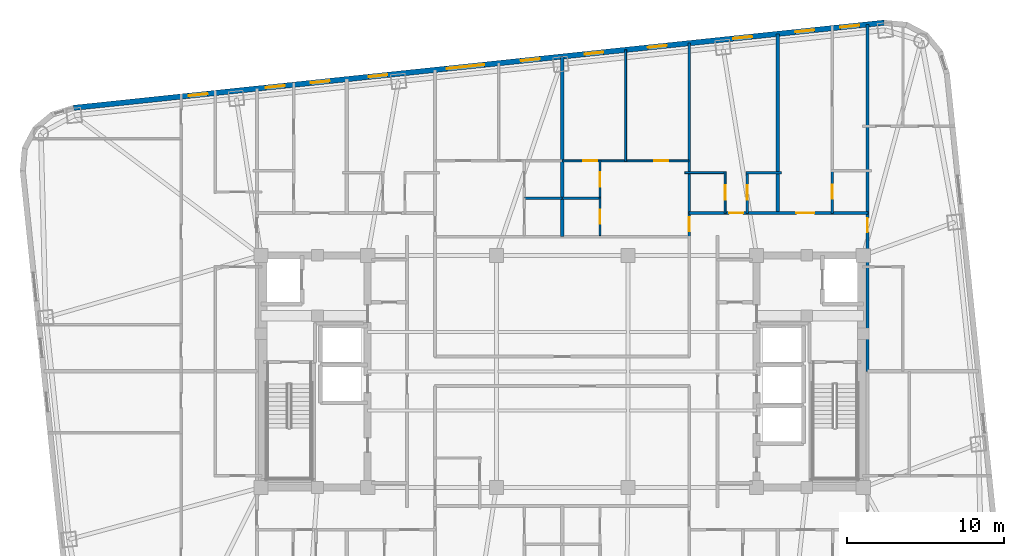
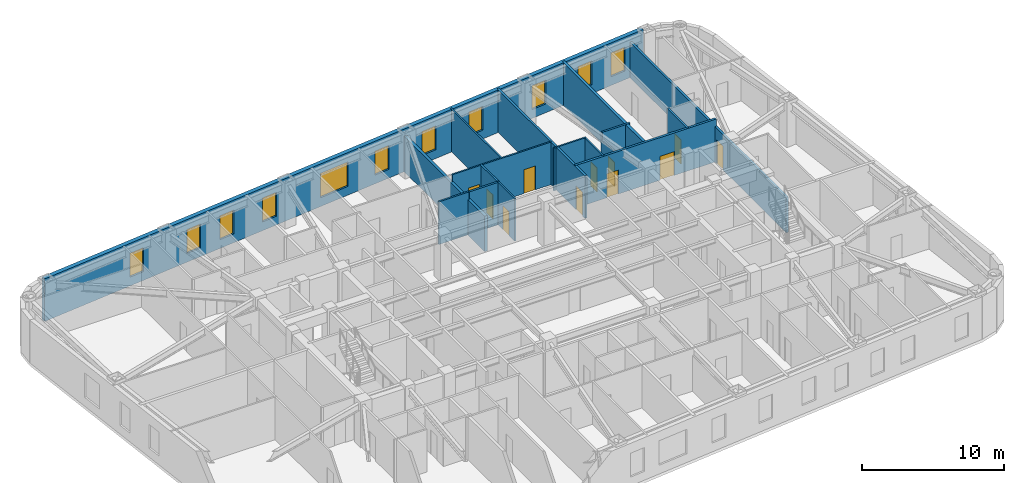
# One storey, part 9 of 12: 17 walls, 11 doors, 11 windows, 22 openings.
"""IFC4 building model written with IfcOpenShell, lengths in metres."""

from ifc_helpers import new_model, si_unit, direction, frame, frame_2d, origin, place, context, subcontext, project, spatial, rectangle, extrude, material, layer, layer_set, type_object, element, fill, save


model = new_model("IFC4")

# Units and contexts
model_context = context("Model", 3, precision=1e-05, world=origin(), true_north=direction((0.0, 1.0)))
body_context = subcontext(model_context, "Body", "Model", "MODEL_VIEW")
ifc_project = project(units=[si_unit("LENGTHUNIT", "METRE"), si_unit("AREAUNIT", "SQUARE_METRE"), si_unit("VOLUMEUNIT", "CUBIC_METRE"), si_unit("PLANEANGLEUNIT", "RADIAN"), si_unit("MASSUNIT", "GRAM", prefix="KILO")], contexts=[model_context])

# Site, building, storey
site_placement = place(None, origin())
site = spatial("IfcSite", under=ifc_project, at=site_placement, CompositionType="ELEMENT")
building_placement = place(site_placement, origin())
building = spatial("IfcBuilding", under=site, at=building_placement, Name="Voryun Gate Residences", CompositionType="ELEMENT")
storey_placement = place(building_placement, frame((0.0, 0.0, 179.39990234375)))
storey = spatial("IfcBuildingStorey", under=building, at=storey_placement, Name="L44", CompositionType="ELEMENT", Elevation=179.39990234375)

# Wall, openings, doors
ifc_material_1 = material(Name="Gypsum acoustic fireboard")
ifc_layer_1 = layer(ifc_material_1, 0.179931640625, Name="W_CORR_RATED_180")
ifc_layer_set_1 = layer_set([ifc_layer_1], Name="Gypsum acoustic fireboard")
wall_type_1 = type_object("IfcWallType", Name="W_CORR_RATED_180", PredefinedType="PARTITIONING", material=ifc_layer_set_1)
wall_1_placement = place(storey_placement, frame((8.080078125, 10.10009765625, 0.0), z_axis=(0.0, 0.0, 1.0), x_axis=(1.0, 0.0, 0.0)))
wall_1 = element("IfcWall", 1, at=wall_1_placement, inside=storey, type_object=wall_type_1, Name="Partition wall WP-L44-NCORR-E", PredefinedType="PARTITIONING", context=body_context, shape_type="SweptSolid", body=[
    extrude(rectangle(XDim=11.419921875, YDim=0.179931640625, at=frame_2d((5.7099609375, 0.0))), origin(), (0.0, 0.0, 1.0), 3.650146484375),
])
opening_1_placement = place(wall_1_placement, frame((2.5625, 0.0, 0.0)))
opening_1 = element("IfcOpeningElement", 2, at=opening_1_placement, cuts=wall_1, Name="Opening D-INT-2", PredefinedType="OPENING", context=body_context, shape_type="SweptSolid", body=[
    extrude(rectangle(XDim=0.89990234375, YDim=2.050048828125, at=frame_2d((0.449951171875, 1.02490234375))), frame((0.0, 0.099853515625, 0.0), z_axis=(0.0, -1.0, 0.0), x_axis=(1.0, 0.0, 0.0)), (0.0, 0.0, 1.0), 0.199951171875),
])
opening_2_placement = place(wall_1_placement, frame((6.8525390625, 0.0, 0.0)))
opening_2 = element("IfcOpeningElement", 3, at=opening_2_placement, cuts=wall_1, Name="Opening D-UNIT-1", PredefinedType="OPENING", context=body_context, shape_type="SweptSolid", body=[
    extrude(rectangle(XDim=1.14990234375, YDim=2.050048828125, at=frame_2d((0.574951171875, 1.02490234375))), frame((0.0, 0.099853515625, 0.0), z_axis=(0.0, -1.0, 0.0), x_axis=(1.0, 0.0, 0.0)), (0.0, 0.0, 1.0), 0.199951171875),
])
ifc_material_2 = material(Name="Architectural oak veneer")
door_type_1 = type_object("IfcDoorType", Name="DR_INT_BATH_900", OperationType="NOTDEFINED", PredefinedType="DOOR", material=ifc_material_2)
door_1_placement = place(opening_1_placement, origin())
door_1 = element("IfcDoor", 4, at=door_1_placement, inside=storey, type_object=door_type_1, Name="Door DR-L44-NENT-4", OperationType="SINGLE_SWING_RIGHT", OverallHeight=2.050048828125, OverallWidth=0.89990234375, PredefinedType="DOOR", context=body_context, shape_type="SweptSolid", body=[
    extrude(rectangle(XDim=0.89990234375, YDim=2.050048828125, at=frame_2d((0.449951171875, 1.02490234375))), frame((0.0, 0.02490234375, 0.0), z_axis=(0.0, -1.0, 0.0), x_axis=(1.0, 0.0, 0.0)), (0.0, 0.0, 1.0), 0.050048828125),
])
fill(opening_1, door_1)
ifc_material_3 = material(Name="Armoured timber-clad fire door", Category="wood")
door_type_2 = type_object("IfcDoorType", Name="DR_UNIT_ENTRY_1150", OperationType="NOTDEFINED", PredefinedType="DOOR", material=ifc_material_3)
door_2_placement = place(opening_2_placement, origin())
door_2 = element("IfcDoor", 5, at=door_2_placement, inside=storey, type_object=door_type_2, Name="Door DR-L44-NENT-5", OperationType="SINGLE_SWING_LEFT", OverallHeight=2.050048828125, OverallWidth=1.14990234375, PredefinedType="DOOR", context=body_context, shape_type="SweptSolid", body=[
    extrude(rectangle(XDim=1.14990234375, YDim=2.050048828125, at=frame_2d((0.574951171875, 1.02490234375))), frame((0.0, 0.02490234375, 0.0), z_axis=(0.0, -1.0, 0.0), x_axis=(1.0, 0.0, 0.0)), (0.0, 0.0, 1.0), 0.050048828125),
])
fill(opening_2, door_2)

# Wall, opening, door
wall_2_placement = place(storey_placement, frame((8.10009765625, 8.590087890625, 0.0), z_axis=(0.0, 0.0, 1.0), x_axis=(0.0, 1.0, 0.0)))
wall_2 = element("IfcWall", 6, at=wall_2_placement, inside=storey, type_object=wall_type_1, Name="Partition wall WP-L44-NZV-2", PredefinedType="PARTITIONING", context=body_context, shape_type="SweptSolid", body=[
    extrude(rectangle(XDim=12.339111328125, YDim=0.179931640625, at=frame_2d((6.16943359375, 0.0))), origin(), (0.0, 0.0, 1.0), 3.650146484375),
])
opening_3_placement = place(wall_2_placement, frame((0.349609375, 0.0, 0.0)))
opening_3 = element("IfcOpeningElement", 7, at=opening_3_placement, cuts=wall_2, Name="Opening D-INT-2", PredefinedType="OPENING", context=body_context, shape_type="SweptSolid", body=[
    extrude(rectangle(XDim=0.89990234375, YDim=2.050048828125, at=frame_2d((0.449951171875, 1.02490234375))), frame((0.0, 0.099853515625, 0.0), z_axis=(0.0, -1.0, 0.0), x_axis=(1.0, 0.0, 0.0)), (0.0, 0.0, 1.0), 0.199951171875),
])
door_3_placement = place(opening_3_placement, origin())
door_3 = element("IfcDoor", 8, at=door_3_placement, inside=storey, type_object=door_type_1, Name="Door DR-L44-NZENT-2", OperationType="SINGLE_SWING_RIGHT", OverallHeight=2.050048828125, OverallWidth=0.89990234375, PredefinedType="DOOR", context=body_context, shape_type="SweptSolid", body=[
    extrude(rectangle(XDim=0.89990234375, YDim=2.050048828125, at=frame_2d((0.449951171875, 1.02490234375))), frame((0.0, 0.02490234375, 0.0), z_axis=(0.0, -1.0, 0.0), x_axis=(1.0, 0.0, 0.0)), (0.0, 0.0, 1.0), 0.050048828125),
])
fill(opening_3, door_3)

wall_3_placement = place(storey_placement, frame((19.469970703125, 0.0, 0.0), z_axis=(0.0, 0.0, 1.0), x_axis=(0.0, 1.0, 0.0)))
wall_3 = element("IfcWall", 9, at=wall_3_placement, inside=storey, type_object=wall_type_1, Name="Partition wall WP-L44-ECOR2", PredefinedType="PARTITIONING", context=body_context, shape_type="SweptSolid", body=[
    extrude(rectangle(XDim=22.1240234375, YDim=0.179931640625, at=frame_2d((11.06201171875, 0.0))), origin(), (0.0, 0.0, 1.0), 3.0400390625),
])
opening_4_placement = place(wall_3_placement, frame((8.879638671875, 0.0, 0.0)))
opening_4 = element("IfcOpeningElement", 10, at=opening_4_placement, cuts=wall_3, Name="Opening D-INT-2", PredefinedType="OPENING", context=body_context, shape_type="SweptSolid", body=[
    extrude(rectangle(XDim=0.89990234375, YDim=2.050048828125, at=frame_2d((0.449951171875, 1.02490234375))), frame((0.0, 0.099853515625, 0.0), z_axis=(0.0, -1.0, 0.0), x_axis=(1.0, 0.0, 0.0)), (0.0, 0.0, 1.0), 0.199951171875),
])
door_4_placement = place(opening_4_placement, origin())
door_4 = element("IfcDoor", 11, at=door_4_placement, inside=storey, type_object=door_type_1, Name="Door DR-L44-EE2", OperationType="SINGLE_SWING_RIGHT", OverallHeight=2.050048828125, OverallWidth=0.89990234375, PredefinedType="DOOR", context=body_context, shape_type="SweptSolid", body=[
    extrude(rectangle(XDim=0.89990234375, YDim=2.050048828125, at=frame_2d((0.449951171875, 1.02490234375))), frame((0.0, 0.02490234375, 0.0), z_axis=(0.0, -1.0, 0.0), x_axis=(1.0, 0.0, 0.0)), (0.0, 0.0, 1.0), 0.050048828125),
])
fill(opening_4, door_4)

# Wall, openings, windows
ifc_material_4 = material(Name="Charcoal terracotta masonry", Category="masonry")
ifc_layer_2 = layer(ifc_material_4, 0.340087890625, Name="W_EXT_TERRACOTTA_340")
ifc_layer_set_2 = layer_set([ifc_layer_2], Name="Charcoal terracotta masonry")
wall_type_2 = type_object("IfcWallType", Name="W_EXT_TERRACOTTA_340", PredefinedType="ELEMENTEDWALL", material=ifc_layer_set_2)
wall_4_placement = place(storey_placement, frame((-31.155517578125, 16.80322265625, 0.0), z_axis=(0.0, 0.0, 1.0), x_axis=(0.99452209583, 0.104526555986, 0.0)))
wall_4 = element("IfcWall", 12, at=wall_4_placement, inside=storey, type_object=wall_type_2, Name="Exterior wall WEXT-L44-11", PredefinedType="ELEMENTEDWALL", context=body_context, shape_type="SweptSolid", body=[
    extrude(rectangle(XDim=51.966552734375, YDim=0.340087890625, at=frame_2d((25.9833984375, 0.0))), origin(), (0.0, 0.0, 1.0), 3.650146484375),
])
opening_5_placement = place(wall_4_placement, frame((23.93310546875, 0.0, 0.75)))
opening_5 = element("IfcOpeningElement", 13, at=opening_5_placement, cuts=wall_4, Name="Opening WN2", PredefinedType="OPENING", context=body_context, shape_type="SweptSolid", body=[
    extrude(rectangle(XDim=2.39990234375, YDim=2.10009765625, at=frame_2d((1.199951171875, 1.050048828125))), frame((0.0, 0.179931640625, 0.0), z_axis=(0.0, -1.0, 0.0), x_axis=(1.0, 0.0, 0.0)), (0.0, 0.0, 1.0), 0.360107421875),
])
opening_6_placement = place(wall_4_placement, frame((15.209228515625, 0.0, 0.75)))
opening_6 = element("IfcOpeningElement", 14, at=opening_6_placement, cuts=wall_4, Name="Opening WN6", PredefinedType="OPENING", context=body_context, shape_type="SweptSolid", body=[
    extrude(rectangle(XDim=1.199951171875, YDim=2.050048828125, at=frame_2d((0.60009765625, 1.02490234375))), frame((0.0, 0.179931640625, 0.0), z_axis=(0.0, -1.0, 0.0), x_axis=(1.0, 0.0, 0.0)), (0.0, 0.0, 1.0), 0.360107421875),
])
opening_7_placement = place(wall_4_placement, frame((12.33349609375, 0.0, 0.75)))
opening_7 = element("IfcOpeningElement", 15, at=opening_7_placement, cuts=wall_4, Name="Opening WN6", PredefinedType="OPENING", context=body_context, shape_type="SweptSolid", body=[
    extrude(rectangle(XDim=1.199951171875, YDim=2.050048828125, at=frame_2d((0.60009765625, 1.02490234375))), frame((0.0, 0.179931640625, 0.0), z_axis=(0.0, -1.0, 0.0), x_axis=(1.0, 0.0, 0.0)), (0.0, 0.0, 1.0), 0.360107421875),
])
opening_8_placement = place(wall_4_placement, frame((18.914794921875, 0.0, 0.75)))
opening_8 = element("IfcOpeningElement", 16, at=opening_8_placement, cuts=wall_4, Name="Opening WN6", PredefinedType="OPENING", context=body_context, shape_type="SweptSolid", body=[
    extrude(rectangle(XDim=1.199951171875, YDim=2.050048828125, at=frame_2d((0.60009765625, 1.02490234375))), frame((0.0, 0.179931640625, 0.0), z_axis=(0.0, -1.0, 0.0), x_axis=(1.0, 0.0, 0.0)), (0.0, 0.0, 1.0), 0.360107421875),
])
opening_9_placement = place(wall_4_placement, frame((42.294921875, 0.0, 0.75)))
opening_9 = element("IfcOpeningElement", 17, at=opening_9_placement, cuts=wall_4, Name="Opening WN6", PredefinedType="OPENING", context=body_context, shape_type="SweptSolid", body=[
    extrude(rectangle(XDim=1.199951171875, YDim=2.050048828125, at=frame_2d((0.60009765625, 1.02490234375))), frame((0.0, 0.179931640625, 0.0), z_axis=(0.0, -1.0, 0.0), x_axis=(1.0, 0.0, 0.0)), (0.0, 0.0, 1.0), 0.360107421875),
])
opening_10_placement = place(wall_4_placement, frame((46.2880859375, 0.0, 0.75)))
opening_10 = element("IfcOpeningElement", 18, at=opening_10_placement, cuts=wall_4, Name="Opening WN6", PredefinedType="OPENING", context=body_context, shape_type="SweptSolid", body=[
    extrude(rectangle(XDim=1.199951171875, YDim=2.050048828125, at=frame_2d((0.60009765625, 1.02490234375))), frame((0.0, 0.179931640625, 0.0), z_axis=(0.0, -1.0, 0.0), x_axis=(1.0, 0.0, 0.0)), (0.0, 0.0, 1.0), 0.360107421875),
])
opening_11_placement = place(wall_4_placement, frame((49.163818359375, 0.0, 0.75)))
opening_11 = element("IfcOpeningElement", 19, at=opening_11_placement, cuts=wall_4, Name="Opening WN6", PredefinedType="OPENING", context=body_context, shape_type="SweptSolid", body=[
    extrude(rectangle(XDim=1.199951171875, YDim=2.050048828125, at=frame_2d((0.60009765625, 1.02490234375))), frame((0.0, 0.179931640625, 0.0), z_axis=(0.0, -1.0, 0.0), x_axis=(1.0, 0.0, 0.0)), (0.0, 0.0, 1.0), 0.360107421875),
])
opening_12_placement = place(wall_4_placement, frame((28.68359375, 0.0, 0.75)))
opening_12 = element("IfcOpeningElement", 20, at=opening_12_placement, cuts=wall_4, Name="Opening WN6", PredefinedType="OPENING", context=body_context, shape_type="SweptSolid", body=[
    extrude(rectangle(XDim=1.199951171875, YDim=2.050048828125, at=frame_2d((0.60009765625, 1.02490234375))), frame((0.0, 0.179931640625, 0.0), z_axis=(0.0, -1.0, 0.0), x_axis=(1.0, 0.0, 0.0)), (0.0, 0.0, 1.0), 0.360107421875),
])
opening_13_placement = place(wall_4_placement, frame((32.76611328125, 0.0, 0.75)))
opening_13 = element("IfcOpeningElement", 21, at=opening_13_placement, cuts=wall_4, Name="Opening WN6", PredefinedType="OPENING", context=body_context, shape_type="SweptSolid", body=[
    extrude(rectangle(XDim=1.199951171875, YDim=2.050048828125, at=frame_2d((0.60009765625, 1.02490234375))), frame((0.0, 0.179931640625, 0.0), z_axis=(0.0, -1.0, 0.0), x_axis=(1.0, 0.0, 0.0)), (0.0, 0.0, 1.0), 0.360107421875),
])
opening_14_placement = place(wall_4_placement, frame((36.828369140625, 0.0, 0.75)))
opening_14 = element("IfcOpeningElement", 22, at=opening_14_placement, cuts=wall_4, Name="Opening WN6", PredefinedType="OPENING", context=body_context, shape_type="SweptSolid", body=[
    extrude(rectangle(XDim=1.199951171875, YDim=2.050048828125, at=frame_2d((0.60009765625, 1.02490234375))), frame((0.0, 0.179931640625, 0.0), z_axis=(0.0, -1.0, 0.0), x_axis=(1.0, 0.0, 0.0)), (0.0, 0.0, 1.0), 0.360107421875),
])
opening_15_placement = place(wall_4_placement, frame((7.386962890625, 0.0, 0.75)))
opening_15 = element("IfcOpeningElement", 23, at=opening_15_placement, cuts=wall_4, Name="Opening WN6", PredefinedType="OPENING", context=body_context, shape_type="SweptSolid", body=[
    extrude(rectangle(XDim=1.199951171875, YDim=2.050048828125, at=frame_2d((0.60009765625, 1.02490234375))), frame((0.0, 0.179931640625, 0.0), z_axis=(0.0, -1.0, 0.0), x_axis=(1.0, 0.0, 0.0)), (0.0, 0.0, 1.0), 0.360107421875),
])
ifc_material_5 = material(Name="Laminated low-E glass", Category="glass")
window_type_1 = type_object("IfcWindowType", Name="WN_POD_SLOT_1200", PartitioningType="SINGLE_PANEL", PredefinedType="WINDOW", material=ifc_material_5)
window_1_placement = place(opening_6_placement, origin())
window_1 = element("IfcWindow", 24, at=window_1_placement, inside=storey, type_object=window_type_1, Name="Window WN-L44-DWFIX-01", OverallHeight=2.050048828125, OverallWidth=1.199951171875, PartitioningType="SINGLE_PANEL", PredefinedType="WINDOW", context=body_context, shape_type="SweptSolid", body=[
    extrude(rectangle(XDim=1.199951171875, YDim=2.050048828125, at=frame_2d((0.60009765625, 1.02490234375))), frame((0.0, 0.030029296875, 0.0), z_axis=(0.0, -1.0, 0.0), x_axis=(1.0, 0.0, 0.0)), (0.0, 0.0, 1.0), 0.06005859375),
])
fill(opening_6, window_1)
window_2_placement = place(opening_7_placement, origin())
window_2 = element("IfcWindow", 25, at=window_2_placement, inside=storey, type_object=window_type_1, Name="Window WN-L44-DWFIX-02", OverallHeight=2.050048828125, OverallWidth=1.199951171875, PartitioningType="SINGLE_PANEL", PredefinedType="WINDOW", context=body_context, shape_type="SweptSolid", body=[
    extrude(rectangle(XDim=1.199951171875, YDim=2.050048828125, at=frame_2d((0.60009765625, 1.02490234375))), frame((0.0, 0.030029296875, 0.0), z_axis=(0.0, -1.0, 0.0), x_axis=(1.0, 0.0, 0.0)), (0.0, 0.0, 1.0), 0.06005859375),
])
fill(opening_7, window_2)
window_3_placement = place(opening_8_placement, origin())
window_3 = element("IfcWindow", 26, at=window_3_placement, inside=storey, type_object=window_type_1, Name="Window WN-L44-DWFIX-03", OverallHeight=2.050048828125, OverallWidth=1.199951171875, PartitioningType="SINGLE_PANEL", PredefinedType="WINDOW", context=body_context, shape_type="SweptSolid", body=[
    extrude(rectangle(XDim=1.199951171875, YDim=2.050048828125, at=frame_2d((0.60009765625, 1.02490234375))), frame((0.0, 0.030029296875, 0.0), z_axis=(0.0, -1.0, 0.0), x_axis=(1.0, 0.0, 0.0)), (0.0, 0.0, 1.0), 0.06005859375),
])
fill(opening_8, window_3)
window_4_placement = place(opening_9_placement, origin())
window_4 = element("IfcWindow", 27, at=window_4_placement, inside=storey, type_object=window_type_1, Name="Window WN-L44-DWFIX-04", OverallHeight=2.050048828125, OverallWidth=1.199951171875, PartitioningType="SINGLE_PANEL", PredefinedType="WINDOW", context=body_context, shape_type="SweptSolid", body=[
    extrude(rectangle(XDim=1.199951171875, YDim=2.050048828125, at=frame_2d((0.60009765625, 1.02490234375))), frame((0.0, 0.030029296875, 0.0), z_axis=(0.0, -1.0, 0.0), x_axis=(1.0, 0.0, 0.0)), (0.0, 0.0, 1.0), 0.06005859375),
])
fill(opening_9, window_4)
window_5_placement = place(opening_10_placement, origin())
window_5 = element("IfcWindow", 28, at=window_5_placement, inside=storey, type_object=window_type_1, Name="Window WN-L44-DWFIX-05", OverallHeight=2.050048828125, OverallWidth=1.199951171875, PartitioningType="SINGLE_PANEL", PredefinedType="WINDOW", context=body_context, shape_type="SweptSolid", body=[
    extrude(rectangle(XDim=1.199951171875, YDim=2.050048828125, at=frame_2d((0.60009765625, 1.02490234375))), frame((0.0, 0.030029296875, 0.0), z_axis=(0.0, -1.0, 0.0), x_axis=(1.0, 0.0, 0.0)), (0.0, 0.0, 1.0), 0.06005859375),
])
fill(opening_10, window_5)
window_6_placement = place(opening_11_placement, origin())
window_6 = element("IfcWindow", 29, at=window_6_placement, inside=storey, type_object=window_type_1, Name="Window WN-L44-DWFIX-06", OverallHeight=2.050048828125, OverallWidth=1.199951171875, PartitioningType="SINGLE_PANEL", PredefinedType="WINDOW", context=body_context, shape_type="SweptSolid", body=[
    extrude(rectangle(XDim=1.199951171875, YDim=2.050048828125, at=frame_2d((0.60009765625, 1.02490234375))), frame((0.0, 0.030029296875, 0.0), z_axis=(0.0, -1.0, 0.0), x_axis=(1.0, 0.0, 0.0)), (0.0, 0.0, 1.0), 0.06005859375),
])
fill(opening_11, window_6)
window_7_placement = place(opening_12_placement, origin())
window_7 = element("IfcWindow", 30, at=window_7_placement, inside=storey, type_object=window_type_1, Name="Window WN-L44-DWFIX-07", OverallHeight=2.050048828125, OverallWidth=1.199951171875, PartitioningType="SINGLE_PANEL", PredefinedType="WINDOW", context=body_context, shape_type="SweptSolid", body=[
    extrude(rectangle(XDim=1.199951171875, YDim=2.050048828125, at=frame_2d((0.60009765625, 1.02490234375))), frame((0.0, 0.030029296875, 0.0), z_axis=(0.0, -1.0, 0.0), x_axis=(1.0, 0.0, 0.0)), (0.0, 0.0, 1.0), 0.06005859375),
])
fill(opening_12, window_7)
window_8_placement = place(opening_13_placement, origin())
window_8 = element("IfcWindow", 31, at=window_8_placement, inside=storey, type_object=window_type_1, Name="Window WN-L44-DWFIX-08", OverallHeight=2.050048828125, OverallWidth=1.199951171875, PartitioningType="SINGLE_PANEL", PredefinedType="WINDOW", context=body_context, shape_type="SweptSolid", body=[
    extrude(rectangle(XDim=1.199951171875, YDim=2.050048828125, at=frame_2d((0.60009765625, 1.02490234375))), frame((0.0, 0.030029296875, 0.0), z_axis=(0.0, -1.0, 0.0), x_axis=(1.0, 0.0, 0.0)), (0.0, 0.0, 1.0), 0.06005859375),
])
fill(opening_13, window_8)
window_9_placement = place(opening_14_placement, origin())
window_9 = element("IfcWindow", 32, at=window_9_placement, inside=storey, type_object=window_type_1, Name="Window WN-L44-DWFIX-09", OverallHeight=2.050048828125, OverallWidth=1.199951171875, PartitioningType="SINGLE_PANEL", PredefinedType="WINDOW", context=body_context, shape_type="SweptSolid", body=[
    extrude(rectangle(XDim=1.199951171875, YDim=2.050048828125, at=frame_2d((0.60009765625, 1.02490234375))), frame((0.0, 0.030029296875, 0.0), z_axis=(0.0, -1.0, 0.0), x_axis=(1.0, 0.0, 0.0)), (0.0, 0.0, 1.0), 0.06005859375),
])
fill(opening_14, window_9)
window_10_placement = place(opening_15_placement, origin())
window_10 = element("IfcWindow", 33, at=window_10_placement, inside=storey, type_object=window_type_1, Name="Window WN-L44-DWFIX-23", OverallHeight=2.050048828125, OverallWidth=1.199951171875, PartitioningType="SINGLE_PANEL", PredefinedType="WINDOW", context=body_context, shape_type="SweptSolid", body=[
    extrude(rectangle(XDim=1.199951171875, YDim=2.050048828125, at=frame_2d((0.60009765625, 1.02490234375))), frame((0.0, 0.030029296875, 0.0), z_axis=(0.0, -1.0, 0.0), x_axis=(1.0, 0.0, 0.0)), (0.0, 0.0, 1.0), 0.06005859375),
])
fill(opening_15, window_10)
ifc_material_6 = material(Name="Laminated low-E glass", Category="glass")
window_type_2 = type_object("IfcWindowType", Name="WN_RES_WIDE_2400", PartitioningType="SINGLE_PANEL", PredefinedType="WINDOW", material=ifc_material_6)
window_11_placement = place(opening_5_placement, origin())
window_11 = element("IfcWindow", 34, at=window_11_placement, inside=storey, type_object=window_type_2, Name="Window WN-WEXT-L44-11-02", OverallHeight=2.10009765625, OverallWidth=2.39990234375, PartitioningType="SINGLE_PANEL", PredefinedType="WINDOW", context=body_context, shape_type="SweptSolid", body=[
    extrude(rectangle(XDim=2.39990234375, YDim=2.10009765625, at=frame_2d((1.199951171875, 1.050048828125))), frame((0.0, 0.030029296875, 0.0), z_axis=(0.0, -1.0, 0.0), x_axis=(1.0, 0.0, 0.0)), (0.0, 0.0, 1.0), 0.06005859375),
])
fill(opening_5, window_11)

# Walls
ifc_material_7 = material(Name="Concrete C40/50", Category="concrete")
ifc_layer_3 = layer(ifc_material_7, 0.219970703125, Name="W_PARTY_ACOUSTIC_220")
ifc_layer_set_3 = layer_set([ifc_layer_3], Name="Concrete C40/50")
wall_type_3 = type_object("IfcWallType", Name="W_PARTY_ACOUSTIC_220", PredefinedType="PARTITIONING", material=ifc_layer_set_3)
wall_5_placement = place(storey_placement, frame((13.739990234375, 10.02001953125, 0.0), z_axis=(0.0, 0.0, 1.0), x_axis=(0.0, 1.0, 0.0)))
element("IfcWall", 35, at=wall_5_placement, inside=storey, type_object=wall_type_3, Name="Partition wall WP-L44-NPTY-4", PredefinedType="PARTITIONING", context=body_context, shape_type="SweptSolid", body=[
    extrude(rectangle(XDim=11.501953125, YDim=0.219970703125, at=frame_2d((5.7509765625, 0.0))), origin(), (0.0, 0.0, 1.0), 3.650146484375),
])
wall_6_placement = place(storey_placement, frame((0.0, 8.590087890625, 0.0), z_axis=(0.0, 0.0, 1.0), x_axis=(0.0, 1.0, 0.0)))
element("IfcWall", 36, at=wall_6_placement, inside=storey, type_object=wall_type_3, Name="Partition wall WP-L44-NZMID", PredefinedType="PARTITIONING", context=body_context, shape_type="SweptSolid", body=[
    extrude(rectangle(XDim=11.48779296875, YDim=0.219970703125, at=frame_2d((5.743896484375, 0.0))), origin(), (0.0, 0.0, 1.0), 3.0400390625),
])

# Wall, opening, door
ifc_material_8 = material(Name="Gypsum acoustic partition")
ifc_layer_4 = layer(ifc_material_8, 0.125, Name="W_UNIT_PART_125")
ifc_layer_set_4 = layer_set([ifc_layer_4], Name="Gypsum acoustic partition")
wall_type_4 = type_object("IfcWallType", Name="W_UNIT_PART_125", PredefinedType="PARTITIONING", material=ifc_layer_set_4)
wall_7_placement = place(storey_placement, frame((10.389892578125, 10.080078125, 0.0), z_axis=(0.0, 0.0, 1.0), x_axis=(0.0, 1.0, 0.0)))
wall_7 = element("IfcWall", 37, at=wall_7_placement, inside=storey, type_object=wall_type_4, Name="Partition wall WP-L44-N4-CVK", PredefinedType="PARTITIONING", context=body_context, shape_type="SweptSolid", body=[
    extrude(rectangle(XDim=2.64990234375, YDim=0.125, at=frame_2d((1.324951171875, 0.0))), origin(), (0.0, 0.0, 1.0), 3.650146484375),
])
opening_16_placement = place(wall_7_placement, frame((0.875, 0.0, 0.0)))
opening_16 = element("IfcOpeningElement", 38, at=opening_16_placement, cuts=wall_7, Name="Opening D-INT-2", PredefinedType="OPENING", context=body_context, shape_type="SweptSolid", body=[
    extrude(rectangle(XDim=0.89990234375, YDim=2.050048828125, at=frame_2d((0.449951171875, 1.02490234375))), frame((0.0, 0.072509765625, 0.0), z_axis=(0.0, -1.0, 0.0), x_axis=(1.0, 0.0, 0.0)), (0.0, 0.0, 1.0), 0.14501953125),
])
door_5_placement = place(opening_16_placement, origin())
door_5 = element("IfcDoor", 39, at=door_5_placement, inside=storey, type_object=door_type_1, Name="Door DR-L44-N4-DK", OperationType="SINGLE_SWING_LEFT", OverallHeight=2.050048828125, OverallWidth=0.89990234375, PredefinedType="DOOR", context=body_context, shape_type="SweptSolid", body=[
    extrude(rectangle(XDim=0.89990234375, YDim=2.050048828125, at=frame_2d((0.449951171875, 1.02490234375))), frame((0.0, 0.02490234375, 0.0), z_axis=(0.0, -1.0, 0.0), x_axis=(1.0, 0.0, 0.0)), (0.0, 0.0, 1.0), 0.050048828125),
])
fill(opening_16, door_5)

# Wall
wall_8_placement = place(storey_placement, frame((7.820068359375, 12.669921875, 0.0), z_axis=(0.0, 0.0, 1.0), x_axis=(1.0, 0.0, 0.0)))
element("IfcWall", 40, at=wall_8_placement, inside=storey, type_object=wall_type_4, Name="Partition wall WP-L44-N4-CHK", PredefinedType="PARTITIONING", context=body_context, shape_type="SweptSolid", body=[
    extrude(rectangle(XDim=2.6298828125, YDim=0.125, at=frame_2d((1.31494140625, 0.0))), origin(), (0.0, 0.0, 1.0), 3.650146484375),
])

# Wall, openings, doors
wall_9_placement = place(storey_placement, frame((0.02001953125, 13.429931640625, 0.0), z_axis=(0.0, 0.0, 1.0), x_axis=(1.0, 0.0, 0.0)))
wall_9 = element("IfcWall", 41, at=wall_9_placement, inside=storey, type_object=wall_type_4, Name="Partition wall WP-L44-NC2-HZ", PredefinedType="PARTITIONING", context=body_context, shape_type="SweptSolid", body=[
    extrude(rectangle(XDim=8.06005859375, YDim=0.125, at=frame_2d((4.030029296875, 0.0))), origin(), (0.0, 0.0, 1.0), 3.650146484375),
])
opening_17_placement = place(wall_9_placement, frame((1.3232421875, 0.0, 0.0)))
opening_17 = element("IfcOpeningElement", 42, at=opening_17_placement, cuts=wall_9, Name="Opening D-INT-2", PredefinedType="OPENING", context=body_context, shape_type="SweptSolid", body=[
    extrude(rectangle(XDim=0.89990234375, YDim=2.050048828125, at=frame_2d((0.449951171875, 1.02490234375))), frame((0.0, 0.072509765625, 0.0), z_axis=(0.0, -1.0, 0.0), x_axis=(1.0, 0.0, 0.0)), (0.0, 0.0, 1.0), 0.14501953125),
])
opening_18_placement = place(wall_9_placement, frame((5.8369140625, 0.0, 0.0)))
opening_18 = element("IfcOpeningElement", 43, at=opening_18_placement, cuts=wall_9, Name="Opening D-INT-2", PredefinedType="OPENING", context=body_context, shape_type="SweptSolid", body=[
    extrude(rectangle(XDim=0.89990234375, YDim=2.050048828125, at=frame_2d((0.449951171875, 1.02490234375))), frame((0.0, 0.072509765625, 0.0), z_axis=(0.0, -1.0, 0.0), x_axis=(1.0, 0.0, 0.0)), (0.0, 0.0, 1.0), 0.14501953125),
])
door_6_placement = place(opening_17_placement, origin())
door_6 = element("IfcDoor", 44, at=door_6_placement, inside=storey, type_object=door_type_1, Name="Door DR-L44-NC2-DMB", OperationType="SINGLE_SWING_LEFT", OverallHeight=2.050048828125, OverallWidth=0.89990234375, PredefinedType="DOOR", context=body_context, shape_type="SweptSolid", body=[
    extrude(rectangle(XDim=0.89990234375, YDim=2.050048828125, at=frame_2d((0.449951171875, 1.02490234375))), frame((0.0, 0.02490234375, 0.0), z_axis=(0.0, -1.0, 0.0), x_axis=(1.0, 0.0, 0.0)), (0.0, 0.0, 1.0), 0.050048828125),
])
fill(opening_17, door_6)
door_7_placement = place(opening_18_placement, origin())
door_7 = element("IfcDoor", 45, at=door_7_placement, inside=storey, type_object=door_type_1, Name="Door DR-L44-NC2-DBD2", OperationType="SINGLE_SWING_RIGHT", OverallHeight=2.050048828125, OverallWidth=0.89990234375, PredefinedType="DOOR", context=body_context, shape_type="SweptSolid", body=[
    extrude(rectangle(XDim=0.89990234375, YDim=2.050048828125, at=frame_2d((0.449951171875, 1.02490234375))), frame((0.0, 0.02490234375, 0.0), z_axis=(0.0, -1.0, 0.0), x_axis=(1.0, 0.0, 0.0)), (0.0, 0.0, 1.0), 0.050048828125),
])
fill(opening_18, door_7)

# Wall, opening, door
wall_10_placement = place(storey_placement, frame((2.409912109375, 8.64990234375, 0.0), z_axis=(0.0, 0.0, 1.0), x_axis=(0.0, 1.0, 0.0)))
wall_10 = element("IfcWall", 46, at=wall_10_placement, inside=storey, type_object=wall_type_4, Name="Partition wall WP-L44-NC2-VK1", PredefinedType="PARTITIONING", context=body_context, shape_type="SweptSolid", body=[
    extrude(rectangle(XDim=2.41015625, YDim=0.125, at=frame_2d((1.205078125, 0.0))), origin(), (0.0, 0.0, 1.0), 3.650146484375),
])
opening_19_placement = place(wall_10_placement, frame((0.7548828125, 0.0, 0.0)))
opening_19 = element("IfcOpeningElement", 47, at=opening_19_placement, cuts=wall_10, Name="Opening D-INT-2", PredefinedType="OPENING", context=body_context, shape_type="SweptSolid", body=[
    extrude(rectangle(XDim=0.89990234375, YDim=2.050048828125, at=frame_2d((0.449951171875, 1.02490234375))), frame((0.0, 0.072509765625, 0.0), z_axis=(0.0, -1.0, 0.0), x_axis=(1.0, 0.0, 0.0)), (0.0, 0.0, 1.0), 0.14501953125),
])
door_8_placement = place(opening_19_placement, origin())
door_8 = element("IfcDoor", 48, at=door_8_placement, inside=storey, type_object=door_type_1, Name="Door DR-L44-NC2-DK", OperationType="SINGLE_SWING_LEFT", OverallHeight=2.050048828125, OverallWidth=0.89990234375, PredefinedType="DOOR", context=body_context, shape_type="SweptSolid", body=[
    extrude(rectangle(XDim=0.89990234375, YDim=2.050048828125, at=frame_2d((0.449951171875, 1.02490234375))), frame((0.0, 0.02490234375, 0.0), z_axis=(0.0, -1.0, 0.0), x_axis=(1.0, 0.0, 0.0)), (0.0, 0.0, 1.0), 0.050048828125),
])
fill(opening_19, door_8)

# Wall
wall_11_placement = place(storey_placement, frame((4.050048828125, 13.389892578125, 0.0), z_axis=(0.0, 0.0, 1.0), x_axis=(0.0, 1.0, 0.0)))
element("IfcWall", 49, at=wall_11_placement, inside=storey, type_object=wall_type_4, Name="Partition wall WP-L44-NC2-VBD", PredefinedType="PARTITIONING", context=body_context, shape_type="SweptSolid", body=[
    extrude(rectangle(XDim=7.113525390625, YDim=0.125, at=frame_2d((3.556640625, 0.0))), origin(), (0.0, 0.0, 1.0), 3.650146484375),
])

# Wall, opening, door
ifc_material_9 = material(Name="Gypsum moisture-resistant partition")
ifc_layer_5 = layer(ifc_material_9, 0.14990234375, Name="W_WET_PLUMB_150")
ifc_layer_set_5 = layer_set([ifc_layer_5], Name="Gypsum moisture-resistant partition")
wall_type_5 = type_object("IfcWallType", Name="W_WET_PLUMB_150", PredefinedType="PLUMBINGWALL", material=ifc_layer_set_5)
wall_12_placement = place(storey_placement, frame((11.7958984375, 10.080078125, 0.0), z_axis=(0.0, 0.0, 1.0), x_axis=(0.0, 1.0, 0.0)))
wall_12 = element("IfcWall", 50, at=wall_12_placement, inside=storey, type_object=wall_type_5, Name="Partition wall WP-L44-N4-CVB", PredefinedType="PLUMBINGWALL", context=body_context, shape_type="SweptSolid", body=[
    extrude(rectangle(XDim=2.64990234375, YDim=0.14990234375, at=frame_2d((1.324951171875, 0.0))), origin(), (0.0, 0.0, 1.0), 3.0400390625),
])
opening_20_placement = place(wall_12_placement, frame((0.875, 0.0, 0.0)))
opening_20 = element("IfcOpeningElement", 51, at=opening_20_placement, cuts=wall_12, Name="Opening D-INT-2", PredefinedType="OPENING", context=body_context, shape_type="SweptSolid", body=[
    extrude(rectangle(XDim=0.89990234375, YDim=2.050048828125, at=frame_2d((0.449951171875, 1.02490234375))), frame((0.0, 0.0849609375, 0.0), z_axis=(0.0, -1.0, 0.0), x_axis=(1.0, 0.0, 0.0)), (0.0, 0.0, 1.0), 0.169921875),
])
door_9_placement = place(opening_20_placement, origin())
door_9 = element("IfcDoor", 52, at=door_9_placement, inside=storey, type_object=door_type_1, Name="Door DR-L44-N4-DB", OperationType="SINGLE_SWING_RIGHT", OverallHeight=2.050048828125, OverallWidth=0.89990234375, PredefinedType="DOOR", context=body_context, shape_type="SweptSolid", body=[
    extrude(rectangle(XDim=0.89990234375, YDim=2.050048828125, at=frame_2d((0.449951171875, 1.02490234375))), frame((0.0, 0.02490234375, 0.0), z_axis=(0.0, -1.0, 0.0), x_axis=(1.0, 0.0, 0.0)), (0.0, 0.0, 1.0), 0.050048828125),
])
fill(opening_20, door_9)

# Wall
wall_13_placement = place(storey_placement, frame((11.736083984375, 12.669921875, 0.0), z_axis=(0.0, 0.0, 1.0), x_axis=(1.0, 0.0, 0.0)))
element("IfcWall", 53, at=wall_13_placement, inside=storey, type_object=wall_type_5, Name="Partition wall WP-L44-N4-CHB", PredefinedType="PLUMBINGWALL", context=body_context, shape_type="SweptSolid", body=[
    extrude(rectangle(XDim=2.263916015625, YDim=0.14990234375, at=frame_2d((1.1318359375, 0.0))), origin(), (0.0, 0.0, 1.0), 3.650146484375),
])

# Wall, opening, door
wall_14_placement = place(storey_placement, frame((17.216064453125, 10.080078125, 0.0), z_axis=(0.0, 0.0, 1.0), x_axis=(0.0, 1.0, 0.0)))
wall_14 = element("IfcWall", 54, at=wall_14_placement, inside=storey, type_object=wall_type_5, Name="Partition wall WP-L44-N5-SVT1", PredefinedType="PLUMBINGWALL", context=body_context, shape_type="SweptSolid", body=[
    extrude(rectangle(XDim=2.760009765625, YDim=0.14990234375, at=frame_2d((1.3798828125, 0.0))), origin(), (0.0, 0.0, 1.0), 3.650146484375),
])
opening_21_placement = place(wall_14_placement, frame((0.929931640625, 0.0, 0.0)))
opening_21 = element("IfcOpeningElement", 55, at=opening_21_placement, cuts=wall_14, Name="Opening D-INT-2", PredefinedType="OPENING", context=body_context, shape_type="SweptSolid", body=[
    extrude(rectangle(XDim=0.89990234375, YDim=2.050048828125, at=frame_2d((0.449951171875, 1.02490234375))), frame((0.0, 0.0849609375, 0.0), z_axis=(0.0, -1.0, 0.0), x_axis=(1.0, 0.0, 0.0)), (0.0, 0.0, 1.0), 0.169921875),
])
door_10_placement = place(opening_21_placement, origin())
door_10 = element("IfcDoor", 56, at=door_10_placement, inside=storey, type_object=door_type_1, Name="Door DR-L44-N5-DB", OperationType="SINGLE_SWING_LEFT", OverallHeight=2.050048828125, OverallWidth=0.89990234375, PredefinedType="DOOR", context=body_context, shape_type="SweptSolid", body=[
    extrude(rectangle(XDim=0.89990234375, YDim=2.050048828125, at=frame_2d((0.449951171875, 1.02490234375))), frame((0.0, 0.02490234375, 0.0), z_axis=(0.0, -1.0, 0.0), x_axis=(1.0, 0.0, 0.0)), (0.0, 0.0, 1.0), 0.050048828125),
])
fill(opening_21, door_10)

# Wall
wall_15_placement = place(storey_placement, frame((-2.449951171875, 11.030029296875, 0.0), z_axis=(0.0, 0.0, 1.0), x_axis=(1.0, 0.0, 0.0)))
element("IfcWall", 57, at=wall_15_placement, inside=storey, type_object=wall_type_5, Name="Partition wall WP-L44-NC1-HKB", PredefinedType="PLUMBINGWALL", context=body_context, shape_type="SweptSolid", body=[
    extrude(rectangle(XDim=2.429931640625, YDim=0.14990234375, at=frame_2d((1.21484375, 0.0))), origin(), (0.0, 0.0, 1.0), 3.650146484375),
])

# Wall, opening, door
wall_16_placement = place(storey_placement, frame((2.409912109375, 11.0, 0.0), z_axis=(0.0, 0.0, 1.0), x_axis=(0.0, 1.0, 0.0)))
wall_16 = element("IfcWall", 58, at=wall_16_placement, inside=storey, type_object=wall_type_5, Name="Partition wall WP-L44-NC2-VK2", PredefinedType="PLUMBINGWALL", context=body_context, shape_type="SweptSolid", body=[
    extrude(rectangle(XDim=2.469970703125, YDim=0.14990234375, at=frame_2d((1.23486328125, 0.0))), origin(), (0.0, 0.0, 1.0), 3.650146484375),
])
opening_22_placement = place(wall_16_placement, frame((0.784912109375, 0.0, 0.0)))
opening_22 = element("IfcOpeningElement", 59, at=opening_22_placement, cuts=wall_16, Name="Opening D-INT-2", PredefinedType="OPENING", context=body_context, shape_type="SweptSolid", body=[
    extrude(rectangle(XDim=0.89990234375, YDim=2.050048828125, at=frame_2d((0.449951171875, 1.02490234375))), frame((0.0, 0.0849609375, 0.0), z_axis=(0.0, -1.0, 0.0), x_axis=(1.0, 0.0, 0.0)), (0.0, 0.0, 1.0), 0.169921875),
])
door_11_placement = place(opening_22_placement, origin())
door_11 = element("IfcDoor", 60, at=door_11_placement, inside=storey, type_object=door_type_1, Name="Door DR-L44-NC2-DB", OperationType="SINGLE_SWING_RIGHT", OverallHeight=2.050048828125, OverallWidth=0.89990234375, PredefinedType="DOOR", context=body_context, shape_type="SweptSolid", body=[
    extrude(rectangle(XDim=0.89990234375, YDim=2.050048828125, at=frame_2d((0.449951171875, 1.02490234375))), frame((0.0, 0.02490234375, 0.0), z_axis=(0.0, -1.0, 0.0), x_axis=(1.0, 0.0, 0.0)), (0.0, 0.0, 1.0), 0.050048828125),
])
fill(opening_22, door_11)

# Wall
wall_17_placement = place(storey_placement, frame((0.02001953125, 11.030029296875, 0.0), z_axis=(0.0, 0.0, 1.0), x_axis=(1.0, 0.0, 0.0)))
element("IfcWall", 61, at=wall_17_placement, inside=storey, type_object=wall_type_5, Name="Partition wall WP-L44-NC2-HKB", PredefinedType="PLUMBINGWALL", context=body_context, shape_type="SweptSolid", body=[
    extrude(rectangle(XDim=2.429931640625, YDim=0.14990234375, at=frame_2d((1.21484375, 0.0))), origin(), (0.0, 0.0, 1.0), 3.650146484375),
])

save(model, "model.ifc")
